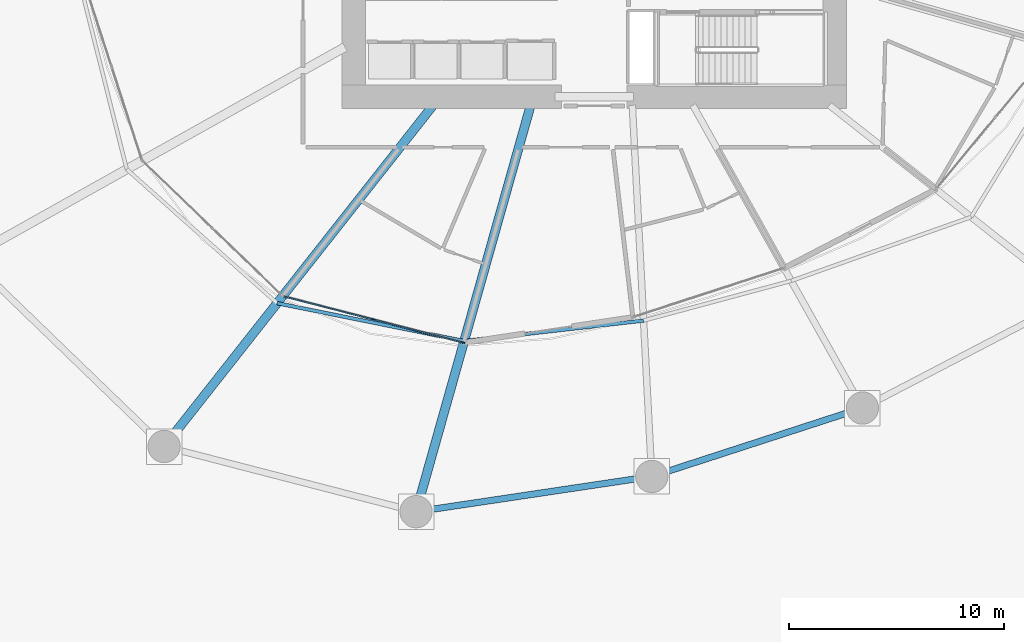
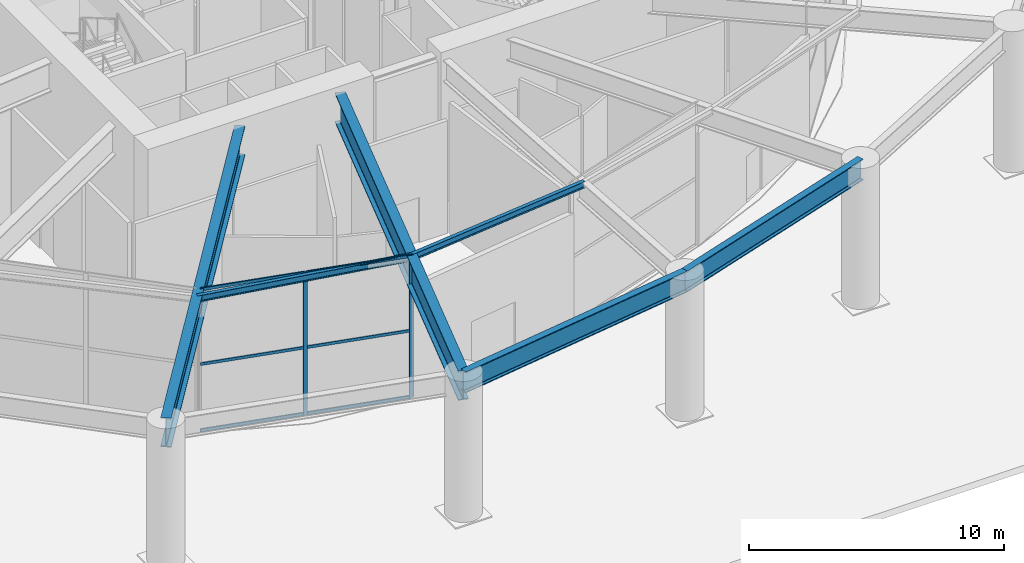
# One storey, part 7 of 28: 8 members, 6 beams, 1 element without a shape of its own.
"""IFC4 building model written with IfcOpenShell, lengths in metres."""

from ifc_helpers import new_model, si_unit, direction, frame, origin, origin_2d, place, context, subcontext, project, spatial, rectangle, i_section, extrude, material, layer, layer_set, material_profile, profile_set, type_object, element, aggregate, save


model = new_model("IFC4")

# Units and contexts
model_context = context("Model", 3, precision=1e-05, world=origin(), true_north=direction((0.0, 1.0)))
body_context = subcontext(model_context, "Body", "Model", "MODEL_VIEW")
ifc_project = project(units=[si_unit("LENGTHUNIT", "METRE"), si_unit("AREAUNIT", "SQUARE_METRE"), si_unit("VOLUMEUNIT", "CUBIC_METRE"), si_unit("PLANEANGLEUNIT", "RADIAN"), si_unit("MASSUNIT", "GRAM", prefix="KILO")], contexts=[model_context])

# Site, building, storey
site_placement = place(None, origin())
site = spatial("IfcSite", under=ifc_project, at=site_placement, CompositionType="ELEMENT")
building_placement = place(site_placement, origin())
building = spatial("IfcBuilding", under=site, at=building_placement, Name="Kazma Halo Residences", CompositionType="ELEMENT")
storey_placement = place(building_placement, origin())
storey = spatial("IfcBuildingStorey", under=building, at=storey_placement, Name="L00", CompositionType="ELEMENT", Elevation=0.0)

# Beams
ifc_material_1 = material(Name="Steel S355", Category="steel")
ifc_material_profile_1 = material_profile(ifc_material_1, i_section(OverallWidth=0.1650390625, OverallDepth=0.31005859375, WebThickness=0.005859375, FlangeThickness=0.009765625, FilletRadius=0.011962890625, at=origin_2d()), Name="W310x38.7")
ifc_profile_set_1 = profile_set([ifc_material_profile_1], Name="Steel S355")
beam_type_1 = type_object("IfcBeamType", Name="BM-SEC-W310B", PredefinedType="JOIST", material=ifc_profile_set_1)
beam_1_placement = place(storey_placement, frame((33.69580078125, 23.85498046875, 6.64501953125), z_axis=(0.980192243317, -0.198048393432, 0.0), x_axis=(0.198048393432, 0.980192243317, 0.0)))
element("IfcBeam", 1, at=beam_1_placement, inside=storey, type_object=beam_type_1, Name="L00 circumferential floor joist 10", PredefinedType="JOIST", context=body_context, shape_type="SweptSolid", body=[
    extrude(i_section(OverallWidth=0.1650390625, OverallDepth=0.31005859375, WebThickness=0.005859375, FlangeThickness=0.009765625, FilletRadius=0.011962890625, at=origin_2d()), origin(), (0.0, 0.0, 1.0), 8.866943359375),
])
beam_2_placement = place(storey_placement, frame((42.38720703125, 22.098876953125, 6.64501953125), z_axis=(0.993587805197, 0.113063138842, 0.0), x_axis=(-0.113063138842, 0.993587805197, 0.0)))
element("IfcBeam", 2, at=beam_2_placement, inside=storey, type_object=beam_type_1, Name="L00 circumferential floor joist 11", PredefinedType="JOIST", context=body_context, shape_type="SweptSolid", body=[
    extrude(i_section(OverallWidth=0.1650390625, OverallDepth=0.31005859375, WebThickness=0.005859375, FlangeThickness=0.009765625, FilletRadius=0.011962890625, at=origin_2d()), origin(), (0.0, 0.0, 1.0), 8.388916015625),
])
ifc_material_profile_2 = material_profile(ifc_material_1, i_section(OverallWidth=0.419921875, OverallDepth=1.39990234375, WebThickness=0.02587890625, FlangeThickness=0.048095703125, FilletRadius=0.02392578125, at=origin_2d()), Name="PG1400x580")
ifc_profile_set_2 = profile_set([ifc_material_profile_2], Name="Steel S355")
beam_type_2 = type_object("IfcBeamType", Name="BM-TRANS-PG1400", PredefinedType="BEAM", material=ifc_profile_set_2)
beam_3_placement = place(storey_placement, frame((40.9443359375, 33.050048828125, 6.10009765625), z_axis=(-0.619089277374, -0.785320613915, 0.0), x_axis=(0.785320613915, -0.619089277374, 0.0)))
element("IfcBeam", 3, at=beam_3_placement, inside=storey, type_object=beam_type_2, Name="L00 lobe radial plate transfer girder 10", PredefinedType="BEAM", context=body_context, shape_type="SweptSolid", body=[
    extrude(i_section(OverallWidth=0.419921875, OverallDepth=1.39990234375, WebThickness=0.02587890625, FlangeThickness=0.048095703125, FilletRadius=0.02392578125, at=origin_2d()), origin(), (0.0, 0.0, 1.0), 20.18701171875),
])
beam_4_placement = place(storey_placement, frame((45.475830078125, 33.050048828125, 6.10009765625), z_axis=(-0.271433858007, -0.962457095526, 0.0), x_axis=(0.962457095526, -0.271433858007, 0.0)))
element("IfcBeam", 4, at=beam_4_placement, inside=storey, type_object=beam_type_2, Name="L00 lobe radial plate transfer girder 11", PredefinedType="BEAM", context=body_context, shape_type="SweptSolid", body=[
    extrude(i_section(OverallWidth=0.419921875, OverallDepth=1.39990234375, WebThickness=0.02587890625, FlangeThickness=0.048095703125, FilletRadius=0.02392578125, at=origin_2d()), origin(), (0.0, 0.0, 1.0), 19.617919921875),
])
ifc_material_profile_3 = material_profile(ifc_material_1, i_section(OverallWidth=0.300048828125, OverallDepth=1.0, WebThickness=0.01904296875, FlangeThickness=0.0400390625, FilletRadius=0.02587890625, at=origin_2d()), Name="W1000x371")
ifc_profile_set_3 = profile_set([ifc_material_profile_3], Name="Steel S355")
beam_type_3 = type_object("IfcBeamType", Name="BM-TRANS-W1000B", PredefinedType="BEAM", material=ifc_profile_set_3)
beam_5_placement = place(storey_placement, frame((40.15087890625, 14.168701171875, 6.300048828125), z_axis=(0.989031581018, 0.14770420356, 0.0), x_axis=(-0.14770420356, 0.989031581018, 0.0)))
element("IfcBeam", 5, at=beam_5_placement, inside=storey, type_object=beam_type_3, Name="L00 perimeter ring beam 11", PredefinedType="BEAM", context=body_context, shape_type="SweptSolid", body=[
    extrude(i_section(OverallWidth=0.300048828125, OverallDepth=1.0, WebThickness=0.01904296875, FlangeThickness=0.0400390625, FilletRadius=0.02587890625, at=origin_2d()), origin(), (0.0, 0.0, 1.0), 11.071044921875),
])
beam_6_placement = place(storey_placement, frame((51.1005859375, 15.803955078125, 6.300048828125), z_axis=(0.951061083857, 0.309002936511, 0.0), x_axis=(-0.309002936511, 0.951061083857, 0.0)))
element("IfcBeam", 6, at=beam_6_placement, inside=storey, type_object=beam_type_3, Name="L00 perimeter ring beam 12", PredefinedType="BEAM", context=body_context, shape_type="SweptSolid", body=[
    extrude(i_section(OverallWidth=0.300048828125, OverallDepth=1.0, WebThickness=0.01904296875, FlangeThickness=0.0400390625, FilletRadius=0.02587890625, at=origin_2d()), origin(), (0.0, 0.0, 1.0), 10.29248046875),
])

# Curtain wall, members
ifc_material_2 = material(Name="Aluminium AW-6063 T6 and Triple-Silver Low-E Glass", Category="aluminium")
ifc_layer = layer(ifc_material_2, 0.179931640625)
ifc_layer_set = layer_set([ifc_layer], Name="Aluminium AW-6063 T6 and Triple-Silver Low-E Glass")
curtain_wall_type = type_object("IfcCurtainWallType", Name="CW-SYS-1", PredefinedType="NOTDEFINED", material=ifc_layer_set)
curtain_wall_placement = place(storey_placement, origin())
curtain_wall = element("IfcCurtainWall", 7, at=curtain_wall_placement, inside=storey, type_object=curtain_wall_type, Name="L00 lobby unitised curtain wall 10", PredefinedType="NOTDEFINED")
ifc_material_3 = material(Name="Aluminium AW-6063 T6", Category="aluminium")
ifc_material_profile_4 = material_profile(ifc_material_3, rectangle(XDim=0.06494140625, YDim=0.179931640625, at=origin_2d()), Name="CWM-65x180")
ifc_profile_set_4 = profile_set([ifc_material_profile_4], Name="Aluminium AW-6063 T6")
member_type_1 = type_object("IfcMemberType", Name="CW-SYS-1-MUL", PredefinedType="MULLION", material=ifc_profile_set_4)
member_1_placement = place(storey_placement, frame((38.159912109375, 23.1015625, 0.0), z_axis=(0.0, 0.0, 1.0), x_axis=(0.24934686039, 0.968414241538, 0.0)))
member_1 = element("IfcMember", 8, at=member_1_placement, type_object=member_type_1, Name="CWS-1 mullion 2", PredefinedType="MULLION", context=body_context, shape_type="SweptSolid", body=[
    extrude(rectangle(XDim=0.06494140625, YDim=0.179931640625, at=origin_2d()), origin(), (0.0, 0.0, 1.0), 6.800048828125),
])
member_2_placement = place(storey_placement, frame((42.333251953125, 22.02685546875, 0.0), z_axis=(0.0, 0.0, 1.0), x_axis=(0.24934686039, 0.968414241538, 0.0)))
member_2 = element("IfcMember", 9, at=member_2_placement, type_object=member_type_1, Name="CWS-1 mullion 3", PredefinedType="MULLION", context=body_context, shape_type="SweptSolid", body=[
    extrude(rectangle(XDim=0.06494140625, YDim=0.179931640625, at=origin_2d()), origin(), (0.0, 0.0, 1.0), 6.800048828125),
])
ifc_material_profile_5 = material_profile(ifc_material_3, rectangle(XDim=0.06494140625, YDim=0.135009765625, at=origin_2d()), Name="CWT-65x135")
ifc_profile_set_5 = profile_set([ifc_material_profile_5], Name="Aluminium AW-6063 T6")
member_type_2 = type_object("IfcMemberType", Name="CW-SYS-1-TRN", PredefinedType="USERDEFINED", material=ifc_profile_set_5)
member_3_placement = place(storey_placement, frame((34.01806640625, 24.16796875, 0.032470703125), z_axis=(0.968413208932, -0.249350870796, 0.0), x_axis=(0.249350870796, 0.968413208932, 0.0)))
member_3 = element("IfcMember", 10, at=member_3_placement, type_object=member_type_2, Name="CWS-1 transom 1.1", ObjectType="TRANSOM", PredefinedType="USERDEFINED", context=body_context, shape_type="SweptSolid", body=[
    extrude(rectangle(XDim=0.06494140625, YDim=0.135009765625, at=origin_2d()), origin(), (0.0, 0.0, 1.0), 4.244384765625),
])
member_4_placement = place(storey_placement, frame((34.01806640625, 24.16796875, 3.199951171875), z_axis=(0.968413208932, -0.249350870796, 0.0), x_axis=(0.249350870796, 0.968413208932, 0.0)))
member_4 = element("IfcMember", 11, at=member_4_placement, type_object=member_type_2, Name="CWS-1 transom 1.2", ObjectType="TRANSOM", PredefinedType="USERDEFINED", context=body_context, shape_type="SweptSolid", body=[
    extrude(rectangle(XDim=0.06494140625, YDim=0.135009765625, at=origin_2d()), origin(), (0.0, 0.0, 1.0), 4.244384765625),
])
member_5_placement = place(storey_placement, frame((34.01806640625, 24.16796875, 6.767578125), z_axis=(0.968413208932, -0.249350870796, 0.0), x_axis=(0.249350870796, 0.968413208932, 0.0)))
member_5 = element("IfcMember", 12, at=member_5_placement, type_object=member_type_2, Name="CWS-1 transom 1.3", ObjectType="TRANSOM", PredefinedType="USERDEFINED", context=body_context, shape_type="SweptSolid", body=[
    extrude(rectangle(XDim=0.06494140625, YDim=0.135009765625, at=origin_2d()), origin(), (0.0, 0.0, 1.0), 4.244384765625),
])
member_6_placement = place(storey_placement, frame((38.19140625, 23.09326171875, 0.032470703125), z_axis=(0.968413208932, -0.249350870796, 0.0), x_axis=(0.249350870796, 0.968413208932, 0.0)))
member_6 = element("IfcMember", 13, at=member_6_placement, type_object=member_type_2, Name="CWS-1 transom 2.1", ObjectType="TRANSOM", PredefinedType="USERDEFINED", context=body_context, shape_type="SweptSolid", body=[
    extrude(rectangle(XDim=0.06494140625, YDim=0.135009765625, at=origin_2d()), origin(), (0.0, 0.0, 1.0), 4.244384765625),
])
member_7_placement = place(storey_placement, frame((38.19140625, 23.09326171875, 3.199951171875), z_axis=(0.968413208932, -0.249350870796, 0.0), x_axis=(0.249350870796, 0.968413208932, 0.0)))
member_7 = element("IfcMember", 14, at=member_7_placement, type_object=member_type_2, Name="CWS-1 transom 2.2", ObjectType="TRANSOM", PredefinedType="USERDEFINED", context=body_context, shape_type="SweptSolid", body=[
    extrude(rectangle(XDim=0.06494140625, YDim=0.135009765625, at=origin_2d()), origin(), (0.0, 0.0, 1.0), 4.244384765625),
])
member_8_placement = place(storey_placement, frame((38.19140625, 23.09326171875, 6.767578125), z_axis=(0.968413208932, -0.249350870796, 0.0), x_axis=(0.249350870796, 0.968413208932, 0.0)))
member_8 = element("IfcMember", 15, at=member_8_placement, type_object=member_type_2, Name="CWS-1 transom 2.3", ObjectType="TRANSOM", PredefinedType="USERDEFINED", context=body_context, shape_type="SweptSolid", body=[
    extrude(rectangle(XDim=0.06494140625, YDim=0.135009765625, at=origin_2d()), origin(), (0.0, 0.0, 1.0), 4.244384765625),
])
aggregate(curtain_wall, [member_1, member_2, member_3, member_4, member_5, member_6, member_7, member_8])

save(model, "model.ifc")
